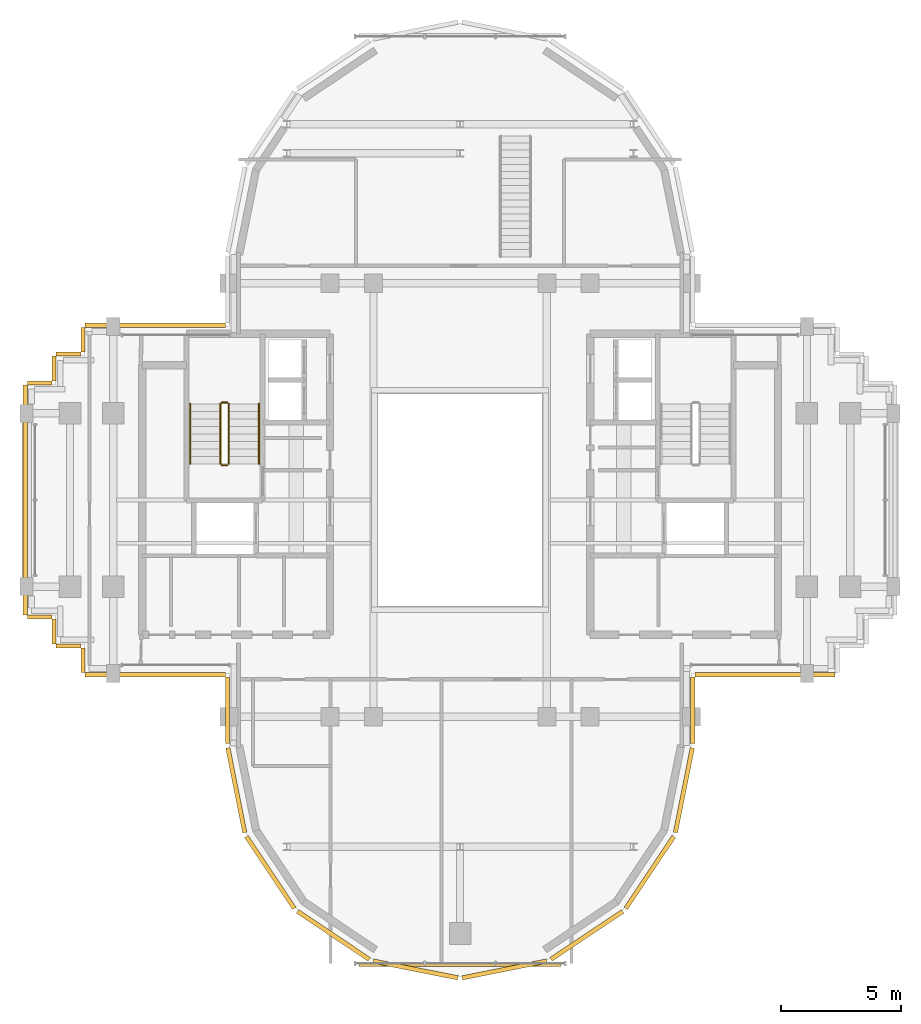
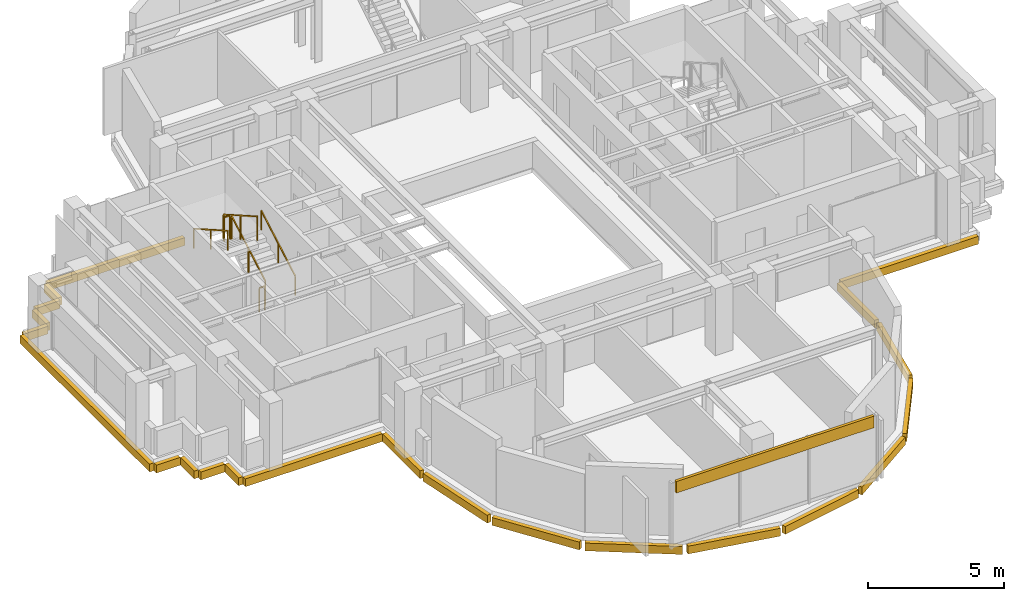
# One storey, part 12 of 13: 23 coverings, 6 railings.
"""IFC4 building model written with IfcOpenShell, lengths in metres."""

import ifcopenshell
import ifcopenshell.guid

model = None  # the IFC model being written
_history = None  # IfcOwnerHistory: only IFC2X3 demands one
_inside = {}  # id of a spatial element -> (the spatial element, [elements in it])
_under = {}  # id of a project, library or spatial element -> (it, [spatial elements below it])
_declared = {}  # id of a project -> (the project, [libraries it declares])
_typed = {}  # id of a type object -> (the type object, [elements of that type])
_made_of = {}  # id of a material, layer set ... -> (it, [elements and type objects made of it])


def new_model(schema):
    """Start an empty IFC model of exactly this schema.

    Asked for "IFC4X3", IfcOpenShell would pick the latest addendum, in which some entities
    have other attributes; the version numbers below select the first issue.
    IFC2X3 requires an IfcOwnerHistory on every rooted entity: one is made here for all.
    """
    global model, _history
    if schema == "IFC4X3":
        model = ifcopenshell.file(schema_version=(4, 3, 0, 0))
    else:
        model = ifcopenshell.file(schema=schema)
    _inside.clear()
    _under.clear()
    _declared.clear()
    _typed.clear()
    _made_of.clear()
    _history = None
    if model.schema == "IFC2X3":
        org = make("IfcOrganization", Name="unknown")
        user = make(
            "IfcPersonAndOrganization",
            ThePerson=make("IfcPerson", FamilyName="unknown"),
            TheOrganization=org,
        )
        app = make(
            "IfcApplication",
            ApplicationDeveloper=org,
            Version="unknown",
            ApplicationFullName="unknown",
            ApplicationIdentifier="unknown",
        )
        _history = make(
            "IfcOwnerHistory",
            OwningUser=user,
            OwningApplication=app,
            ChangeAction="ADDED",
            CreationDate=0,
        )
    return model


def make(cls, **values):
    """One entity of the class cls with the attributes given. An attribute that is None is left unset."""
    return model.create_entity(
        cls, **{name: value for name, value in values.items() if value is not None}
    )


def rooted(cls, **values):
    """An entity with a GlobalId (a new one), such as an element, a storey or a relation."""
    return make(cls, GlobalId=ifcopenshell.guid.new(), OwnerHistory=_history, **values)


def si_unit(unit_type, name, prefix=None):
    """IfcSIUnit, for example si_unit("LENGTHUNIT", "METRE", prefix="MILLI")."""
    return make("IfcSIUnit", UnitType=unit_type, Prefix=prefix, Name=name)


def assignment(units):
    """IfcUnitAssignment: the units of a project."""
    return None if units is None else make("IfcUnitAssignment", Units=units)


def point(xyz):
    """IfcCartesianPoint."""
    return None if xyz is None else make("IfcCartesianPoint", Coordinates=xyz)


def direction(xyz):
    """IfcDirection."""
    return None if xyz is None else make("IfcDirection", DirectionRatios=xyz)


def frame(location, z_axis=None, x_axis=None):
    """IfcAxis2Placement3D, a coordinate frame: its origin and axes. An axis left out is left unset."""
    return make(
        "IfcAxis2Placement3D",
        Location=point(location),
        Axis=direction(z_axis),
        RefDirection=direction(x_axis),
    )


def frame_2d(location, x_axis=None):
    """IfcAxis2Placement2D, a coordinate frame in the plane: its origin and x axis."""
    return make(
        "IfcAxis2Placement2D", Location=point(location), RefDirection=direction(x_axis)
    )


def origin():
    """The frame at (0, 0, 0) with its axes left unset."""
    return frame((0.0, 0.0, 0.0))


def origin_2d():
    """The frame at (0, 0) in the plane with its x axis left unset."""
    return frame_2d((0.0, 0.0))


def place(relative_to, where):
    """IfcLocalPlacement: puts the frame where relative to a parent placement (None: the world)."""
    return make(
        "IfcLocalPlacement", PlacementRelTo=relative_to, RelativePlacement=where
    )


def context(
    kind, dimensions, precision=None, world=None, true_north=None, identifier=None
):
    """IfcGeometricRepresentationContext, for example the 3D "Model" context."""
    return make(
        "IfcGeometricRepresentationContext",
        ContextIdentifier=identifier,
        ContextType=kind,
        CoordinateSpaceDimension=dimensions,
        Precision=precision,
        WorldCoordinateSystem=world,
        TrueNorth=true_north,
    )


def subcontext(parent, identifier, kind, view, scale=None):
    """IfcGeometricRepresentationSubContext, for example "Body" below "Model"."""
    return make(
        "IfcGeometricRepresentationSubContext",
        ContextIdentifier=identifier,
        ContextType=kind,
        ParentContext=parent,
        TargetScale=scale,
        TargetView=view,
    )


def project(units=None, contexts=None):
    """IfcProject with its units and contexts."""
    return rooted(
        "IfcProject",
        Name="project",
        RepresentationContexts=contexts,
        UnitsInContext=assignment(units),
    )


def spatial(cls, under=None, at=None, **own):
    """A site, building, storey or space (cls), placed at a placement, below another one or the project."""
    s = rooted(cls, ObjectPlacement=at, **own)
    if under is not None:
        _under.setdefault(under.id(), (under, []))[1].append(s)
    return s


def profile(cls, at=None, kind="AREA", **sizes):
    """A parametric profile (cls). Its sizes go by their IFC names, for example OverallWidth=200.0."""
    return make(cls, ProfileType=kind, Position=at, **sizes)


def rectangle(**sizes):
    """IfcRectangleProfileDef."""
    return profile("IfcRectangleProfileDef", **sizes)


def extrude(swept, where, along, depth):
    """IfcExtrudedAreaSolid: the profile swept, set in the frame where, extruded along a direction by depth."""
    return make(
        "IfcExtrudedAreaSolid",
        SweptArea=swept,
        Position=where,
        ExtrudedDirection=direction(along),
        Depth=depth,
    )


def shape(context_of_items, identifier, shape_type, items):
    """IfcShapeRepresentation: the items that make up one representation, for example the "Body"."""
    return make(
        "IfcShapeRepresentation",
        ContextOfItems=context_of_items,
        RepresentationIdentifier=identifier,
        RepresentationType=shape_type,
        Items=items,
    )


def source(mapping_origin, context_of_items, identifier, shape_type, items):
    """IfcRepresentationMap: a shape defined once, which mapped items show again and again."""
    return make(
        "IfcRepresentationMap",
        MappingOrigin=mapping_origin,
        MappedRepresentation=shape(context_of_items, identifier, shape_type, items),
    )


def transform(
    local_origin,
    x_axis=None,
    y_axis=None,
    z_axis=None,
    scale=None,
    scale2=None,
    scale3=None,
    uniform=True,
):
    """IfcCartesianTransformationOperator3D, or its non-uniform kind. x_axis, y_axis, z_axis: its Axis1, 2, 3."""
    if uniform:
        return make(
            "IfcCartesianTransformationOperator3D",
            Axis1=direction(x_axis),
            Axis2=direction(y_axis),
            LocalOrigin=point(local_origin),
            Scale=scale,
            Axis3=direction(z_axis),
        )
    return make(
        "IfcCartesianTransformationOperator3DnonUniform",
        Axis1=direction(x_axis),
        Axis2=direction(y_axis),
        LocalOrigin=point(local_origin),
        Scale=scale,
        Axis3=direction(z_axis),
        Scale2=scale2,
        Scale3=scale3,
    )


def mapped(mapping_source, mapping_target):
    """IfcMappedItem: shows the shape of a source again, moved by a transform."""
    return make(
        "IfcMappedItem", MappingSource=mapping_source, MappingTarget=mapping_target
    )


def material(Name=None, Category=None):
    """IfcMaterial."""
    return make("IfcMaterial", Name=Name, Category=Category)


def layer(
    of_material, thickness, ventilated=None, Name=None, Category=None, Priority=None
):
    """IfcMaterialLayer: one layer of a wall or slab, of a material (None: an air gap)."""
    return make(
        "IfcMaterialLayer",
        Material=of_material,
        LayerThickness=thickness,
        IsVentilated=ventilated,
        Name=Name,
        Category=Category,
        Priority=Priority,
    )


def layer_set(layers, Name=None):
    """IfcMaterialLayerSet."""
    return make("IfcMaterialLayerSet", MaterialLayers=layers, LayerSetName=Name)


def made_of(thing, what):
    """Note that an element or type object is made of a material, layer set ...; save() writes the relation."""
    if what is not None:
        _made_of.setdefault(what.id(), (what, []))[1].append(thing)
    return thing


def type_object(cls, material=None, **own):
    """A type object (cls), such as IfcWallType, which elements share."""
    return made_of(rooted(cls, **own), material)


def element(
    cls,
    number,
    at=None,
    inside=None,
    cuts=None,
    type_object=None,
    material=None,
    context=None,
    identifier="Body",
    shape_type=None,
    held_by="IfcProductDefinitionShape",
    body=None,
    shapes=None,
    **own,
):
    """One element of the class cls, such as IfcWall. Its Tag is "e" and its number.

    at: its placement. inside: the storey or other place that contains it. cuts: it is an
    opening in that element (IfcRelVoidsElement). A single representation is given by context,
    identifier, shape_type and body (its items); several are given by shapes. held_by: the class
    of the entity that holds the representations. save() writes the other relations.
    """
    e = rooted(cls, Tag="e%d" % number, ObjectPlacement=at, **own)
    if body is not None:
        shapes = [shape(context, identifier, shape_type, body)]
    if shapes is not None:
        e.Representation = make(held_by, Representations=shapes)
    if inside is not None:
        _inside.setdefault(inside.id(), (inside, []))[1].append(e)
    if cuts is not None:
        rooted(
            "IfcRelVoidsElement", RelatingBuildingElement=cuts, RelatedOpeningElement=e
        )
    if type_object is not None:
        _typed.setdefault(type_object.id(), (type_object, []))[1].append(e)
    return made_of(e, material)


def aggregate(whole, parts):
    """IfcRelAggregates: a whole, such as a stair, and the parts it consists of."""
    return rooted("IfcRelAggregates", RelatingObject=whole, RelatedObjects=parts)


def save(model, path):
    """Write the relations noted so far, then the file.

    IfcRelAggregates (storeys below a building ...), IfcRelContainedInSpatialStructure (elements
    in a storey), IfcRelDefinesByType, IfcRelAssociatesMaterial and IfcRelDeclares: one each for
    every whole, place, type object, material and project.
    """
    for whole, parts in _under.values():
        aggregate(whole, parts)
    for where, things in _inside.values():
        rooted(
            "IfcRelContainedInSpatialStructure",
            RelatedElements=things,
            RelatingStructure=where,
        )
    for kind, things in _typed.values():
        rooted("IfcRelDefinesByType", RelatedObjects=things, RelatingType=kind)
    for what, things in _made_of.values():
        rooted("IfcRelAssociatesMaterial", RelatedObjects=things, RelatingMaterial=what)
    for by, libraries in _declared.values():
        rooted("IfcRelDeclares", RelatingContext=by, RelatedDefinitions=libraries)
    model.write(path)


model = new_model("IFC4")

# Units and contexts
model_context = context("Model", 3, precision=1e-05, world=origin(), true_north=direction((0.0, 1.0)))
body_context = subcontext(model_context, "Body", "Model", "MODEL_VIEW")
ifc_project = project(units=[si_unit("LENGTHUNIT", "METRE"), si_unit("AREAUNIT", "SQUARE_METRE"), si_unit("VOLUMEUNIT", "CUBIC_METRE"), si_unit("PLANEANGLEUNIT", "RADIAN"), si_unit("MASSUNIT", "GRAM", prefix="KILO")], contexts=[model_context])

# Site, building, storey
site_placement = place(None, origin())
site = spatial("IfcSite", under=ifc_project, at=site_placement, CompositionType="ELEMENT")
building_placement = place(site_placement, origin())
building = spatial("IfcBuilding", under=site, at=building_placement, Name="Keilestroom Media Tower", CompositionType="ELEMENT")
storey_placement = place(building_placement, frame((0.0, 0.0, 230.0)))
storey = spatial("IfcBuildingStorey", under=building, at=storey_placement, Name="L63", CompositionType="ELEMENT", Elevation=230.0)

# Railings
ifc_material_1 = material(Name="Brushed Stainless Steel 1.4301", Category="steel")
railing_type_1 = type_object("IfcRailingType", Name="Stair-Pitch-Handrail-920", PredefinedType="HANDRAIL", material=ifc_material_1)
railing_1_placement = place(storey_placement, frame((-8.35009765625, 1.5, 0.177734375)))
element("IfcRailing", 1, at=railing_1_placement, inside=storey, type_object=railing_type_1, Name="L63 ST-1 stair handrail 1", PredefinedType="HANDRAIL", context=body_context, shape_type="SweptSolid", body=[
    extrude(rectangle(XDim=0.048095703125, YDim=0.048095703125, at=origin_2d()), frame((0.0, 0.0, 0.8759765625), z_axis=(0.0, 0.868838684858, 0.495095283449), x_axis=(-1.0, 0.0, 0.0)), (0.0, 0.0, 1.0), 2.872802734375),
    extrude(rectangle(XDim=0.0419921875, YDim=0.0419921875, at=origin_2d()), origin(), (0.0, 0.0, 1.0), 0.84375),
    extrude(rectangle(XDim=0.0419921875, YDim=0.0419921875, at=origin_2d()), frame((0.0, 1.248046875, 0.711181640625)), (0.0, 0.0, 1.0), 0.84375),
    extrude(rectangle(XDim=0.0419921875, YDim=0.0419921875, at=origin_2d()), frame((0.0, 2.49609375, 1.42236328125)), (0.0, 0.0, 1.0), 0.84375),
])
railing_2_placement = place(storey_placement, frame((-11.2099609375, 3.99609375, 1.77783203125)))
element("IfcRailing", 2, at=railing_2_placement, inside=storey, type_object=railing_type_1, Name="L63 ST-1 stair handrail 2", PredefinedType="HANDRAIL", context=body_context, shape_type="SweptSolid", body=[
    extrude(rectangle(XDim=0.048095703125, YDim=0.048095703125, at=origin_2d()), frame((0.0, 0.0, 0.8759765625), z_axis=(0.0, -0.868875238982, 0.495031129408), x_axis=(1.0, 0.0, 0.0)), (0.0, 0.0, 1.0), 2.872802734375),
    extrude(rectangle(XDim=0.0419921875, YDim=0.0419921875, at=origin_2d()), origin(), (0.0, 0.0, 1.0), 0.84375),
    extrude(rectangle(XDim=0.0419921875, YDim=0.0419921875, at=origin_2d()), frame((0.0, -1.248046875, 0.7109375)), (0.0, 0.0, 1.0), 0.84375),
    extrude(rectangle(XDim=0.0419921875, YDim=0.0419921875, at=origin_2d()), frame((0.0, -2.49609375, 1.422119140625)), (0.0, 0.0, 1.0), 0.84375),
])
ifc_material_2 = material(Name="Painted Steel Balustrade", Category="steel")
railing_type_2 = type_object("IfcRailingType", Name="Stair-Well-And-Landing-Guard-1100", PredefinedType="GUARDRAIL", material=ifc_material_2)
railing_3_placement = place(storey_placement, frame((-9.610107421875, 1.5, 0.177734375)))
element("IfcRailing", 3, at=railing_3_placement, inside=storey, type_object=railing_type_2, Name="L63 ST-1 stair guard 1", PredefinedType="GUARDRAIL", context=body_context, shape_type="SweptSolid", body=[
    extrude(rectangle(XDim=0.048095703125, YDim=0.048095703125, at=origin_2d()), frame((0.0, 0.0, 1.076171875), z_axis=(0.0, 0.868838684858, 0.495095283449), x_axis=(-1.0, 0.0, 0.0)), (0.0, 0.0, 1.0), 2.872802734375),
    extrude(rectangle(XDim=0.0419921875, YDim=0.0419921875, at=origin_2d()), origin(), (0.0, 0.0, 1.0), 1.0439453125),
    extrude(rectangle(XDim=0.0419921875, YDim=0.0419921875, at=origin_2d()), frame((0.0, 1.248046875, 0.711181640625)), (0.0, 0.0, 1.0), 1.0439453125),
    extrude(rectangle(XDim=0.0419921875, YDim=0.0419921875, at=origin_2d()), frame((0.0, 2.49609375, 1.42236328125)), (0.0, 0.0, 1.0), 1.0439453125),
])
railing_4_placement = place(storey_placement, frame((-9.659912109375, 4.0458984375, 1.60009765625)))
element("IfcRailing", 4, at=railing_4_placement, inside=storey, type_object=railing_type_2, Name="L63 ST-1 stair guard 2", PredefinedType="GUARDRAIL", context=body_context, shape_type="SweptSolid", body=[
    extrude(rectangle(XDim=0.048095703125, YDim=0.048095703125, at=origin_2d()), frame((0.0, 0.0, 1.076171875), z_axis=(-1.0, 0.0, 0.0), x_axis=(0.0, -1.0, 0.0)), (0.0, 0.0, 1.0), 0.239990234375),
    extrude(rectangle(XDim=0.0419921875, YDim=0.0419921875, at=origin_2d()), origin(), (0.0, 0.0, 1.0), 1.0439453125),
    extrude(rectangle(XDim=0.0419921875, YDim=0.0419921875, at=origin_2d()), frame((-0.239990234375, 0.0, 0.0)), (0.0, 0.0, 1.0), 1.0439453125),
])
railing_5_placement = place(storey_placement, frame((-9.949951171875, 3.99609375, 1.77783203125)))
element("IfcRailing", 5, at=railing_5_placement, inside=storey, type_object=railing_type_2, Name="L63 ST-1 stair guard 3", PredefinedType="GUARDRAIL", context=body_context, shape_type="SweptSolid", body=[
    extrude(rectangle(XDim=0.048095703125, YDim=0.048095703125, at=origin_2d()), frame((0.0, 0.0, 1.076171875), z_axis=(0.0, -0.868875238982, 0.495031129408), x_axis=(1.0, 0.0, 0.0)), (0.0, 0.0, 1.0), 2.872802734375),
    extrude(rectangle(XDim=0.0419921875, YDim=0.0419921875, at=origin_2d()), origin(), (0.0, 0.0, 1.0), 1.0439453125),
    extrude(rectangle(XDim=0.0419921875, YDim=0.0419921875, at=origin_2d()), frame((0.0, -1.248046875, 0.7109375)), (0.0, 0.0, 1.0), 1.0439453125),
    extrude(rectangle(XDim=0.0419921875, YDim=0.0419921875, at=origin_2d()), frame((0.0, -2.49609375, 1.422119140625)), (0.0, 0.0, 1.0), 1.0439453125),
])
railing_6_placement = place(storey_placement, frame((-9.659912109375, 1.449951171875, 0.0)))
element("IfcRailing", 6, at=railing_6_placement, inside=storey, type_object=railing_type_2, Name="L63 ST-1 stair guard 4", PredefinedType="GUARDRAIL", context=body_context, shape_type="SweptSolid", body=[
    extrude(rectangle(XDim=0.048095703125, YDim=0.048095703125, at=origin_2d()), frame((0.0, 0.0, 1.076171875), z_axis=(-1.0, 0.0, 0.0), x_axis=(0.0, -1.0, 0.0)), (0.0, 0.0, 1.0), 0.239990234375),
    extrude(rectangle(XDim=0.0419921875, YDim=0.0419921875, at=origin_2d()), origin(), (0.0, 0.0, 1.0), 1.0439453125),
    extrude(rectangle(XDim=0.0419921875, YDim=0.0419921875, at=origin_2d()), frame((-0.239990234375, 0.0, 0.0)), (0.0, 0.0, 1.0), 1.0439453125),
])

# Coverings
ifc_material_3 = material(Name="Precast concrete C40/50", Category="concrete")
ifc_layer = layer(ifc_material_3, 0.1201171875)
ifc_layer_set = layer_set([ifc_layer], Name="Precast concrete C40/50")
covering_type = type_object("IfcCoveringType", Name="Exterior-Precast-Spandrel-Cladding-Panel-120", PredefinedType="CLADDING", material=ifc_layer_set)
shared_shape_1 = source(origin(), body_context, "Body", "SweptSolid", [
    extrude(rectangle(XDim=8.39990234375, YDim=0.1201171875, at=origin_2d()), origin(), (0.0, 0.0, 1.0), 0.52001953125),
])
covering_1_placement = place(storey_placement, frame((0.0, -19.320068359375, 2.5), z_axis=(0.0, 0.0, 1.0), x_axis=(1.0, 0.0, 0.0)))
element("IfcCovering", 7, at=covering_1_placement, inside=storey, type_object=covering_type, Name="L63 Precast Spandrel Cladding S", PredefinedType="CLADDING", context=body_context, shape_type="MappedRepresentation", body=[
    mapped(shared_shape_1, transform((0.0, 0.0, 0.0), x_axis=(1.0, 0.0, 0.0), y_axis=(0.0, 1.0, 0.0), z_axis=(0.0, 0.0, 1.0), scale=1.0)),
])
shared_shape_2 = source(origin(), body_context, "Body", "SweptSolid", [
    extrude(rectangle(XDim=1.02001953125, YDim=0.179931640625, at=origin_2d()), origin(), (0.0, 0.0, 1.0), 0.35009765625),
])
for number, where, z_axis, x_axis, name in (
    (8, (-15.659912109375, -6.659912109375, -0.530029296875), (0.0, 0.0, 1.0), (0.0, 1.0, 0.0), "L63 Precast Slab-Edge Fascia Cornice 17"),
    (9, (-16.260009765625, -6.06005859375, -0.530029296875), (0.0, 0.0, 1.0), (-1.0, 0.0, 0.0), "L63 Precast Slab-Edge Fascia Cornice 18"),
    (10, (-16.860107421875, -5.4599609375, -0.530029296875), (0.0, 0.0, 1.0), (0.0, 1.0, 0.0), "L63 Precast Slab-Edge Fascia Cornice 19"),
    (11, (-17.4599609375, -4.860107421875, -0.530029296875), (0.0, 0.0, 1.0), (-1.0, 0.0, 0.0), "L63 Precast Slab-Edge Fascia Cornice 20"),
    (12, (-17.4599609375, 4.860107421875, -0.530029296875), (0.0, 0.0, 1.0), (1.0, 0.0, 0.0), "L63 Precast Slab-Edge Fascia Cornice 22"),
    (13, (-16.860107421875, 5.4599609375, -0.530029296875), (0.0, 0.0, 1.0), (0.0, 1.0, 0.0), "L63 Precast Slab-Edge Fascia Cornice 23"),
    (14, (-16.260009765625, 6.06005859375, -0.530029296875), (0.0, 0.0, 1.0), (1.0, 0.0, 0.0), "L63 Precast Slab-Edge Fascia Cornice 24"),
    (15, (-15.659912109375, 6.659912109375, -0.530029296875), (0.0, 0.0, 1.0), (0.0, 1.0, 0.0), "L63 Precast Slab-Edge Fascia Cornice 25"),
):
    element("IfcCovering", number, at=place(storey_placement, frame(where, z_axis=z_axis, x_axis=x_axis)), inside=storey, type_object=covering_type, Name=name, PredefinedType="CLADDING", context=body_context, shape_type="MappedRepresentation", body=[
        mapped(shared_shape_2, transform((0.0, 0.0, 0.0), x_axis=(1.0, 0.0, 0.0), y_axis=(0.0, 1.0, 0.0), z_axis=(0.0, 0.0, 1.0), scale=1.0)),
    ])
shared_shape_3 = source(origin(), body_context, "Body", "SweptSolid", [
    extrude(rectangle(XDim=5.820068359375, YDim=0.179931640625, at=origin_2d()), origin(), (0.0, 0.0, 1.0), 0.35009765625),
])
for number, where, z_axis, x_axis, name in (
    (16, (12.659912109375, -7.260009765625, -0.530029296875), (0.0, 0.0, 1.0), (-1.0, 0.0, 0.0), "L63 Precast Slab-Edge Fascia Cornice 05"),
    (17, (-12.659912109375, -7.260009765625, -0.530029296875), (0.0, 0.0, 1.0), (-1.0, 0.0, 0.0), "L63 Precast Slab-Edge Fascia Cornice 16"),
    (18, (-12.659912109375, 7.260009765625, -0.530029296875), (0.0, 0.0, 1.0), (1.0, 0.0, 0.0), "L63 Precast Slab-Edge Fascia Cornice 26"),
):
    element("IfcCovering", number, at=place(storey_placement, frame(where, z_axis=z_axis, x_axis=x_axis)), inside=storey, type_object=covering_type, Name=name, PredefinedType="CLADDING", context=body_context, shape_type="MappedRepresentation", body=[
        mapped(shared_shape_3, transform((0.0, 0.0, 0.0), x_axis=(1.0, 0.0, 0.0), y_axis=(0.0, 1.0, 0.0), z_axis=(0.0, 0.0, 1.0), scale=1.0)),
    ])
shared_shape_4 = source(origin(), body_context, "Body", "SweptSolid", [
    extrude(rectangle(XDim=2.765869140625, YDim=0.179931640625, at=origin_2d()), origin(), (0.0, 0.0, 1.0), 0.35009765625),
])
for number, where, z_axis, x_axis, name in (
    (19, (9.659912109375, -8.73291015625, -0.530029296875), (0.0, 0.0, 1.0), (0.0, -1.0, 0.0), "L63 Precast Slab-Edge Fascia Cornice 06"),
    (20, (-9.659912109375, -8.73291015625, -0.530029296875), (0.0, 0.0, 1.0), (0.0, 1.0, 0.0), "L63 Precast Slab-Edge Fascia Cornice 15"),
):
    element("IfcCovering", number, at=place(storey_placement, frame(where, z_axis=z_axis, x_axis=x_axis)), inside=storey, type_object=covering_type, Name=name, PredefinedType="CLADDING", context=body_context, shape_type="MappedRepresentation", body=[
        mapped(shared_shape_4, transform((0.0, 0.0, 0.0), x_axis=(1.0, 0.0, 0.0), y_axis=(0.0, 1.0, 0.0), z_axis=(0.0, 0.0, 1.0), scale=1.0)),
    ])
shared_shape_5 = source(origin(), body_context, "Body", "SweptSolid", [
    extrude(rectangle(XDim=3.58349609375, YDim=0.179931640625, at=origin_2d()), origin(), (0.0, 0.0, 1.0), 0.35009765625),
])
for number, where, z_axis, x_axis, name in (
    (21, (9.29296875, -12.051513671875, -0.530029296875), (0.0, 0.0, 1.0), (-0.195098880975, -0.980783577882, 0.0), "L63 Precast Slab-Edge Fascia Cornice 07"),
    (22, (-9.29296875, -12.051513671875, -0.530029296875), (0.0, 0.0, 1.0), (-0.195098880975, 0.980783577882, 0.0), "L63 Precast Slab-Edge Fascia Cornice 14"),
):
    element("IfcCovering", number, at=place(storey_placement, frame(where, z_axis=z_axis, x_axis=x_axis)), inside=storey, type_object=covering_type, Name=name, PredefinedType="CLADDING", context=body_context, shape_type="MappedRepresentation", body=[
        mapped(shared_shape_5, transform((0.0, 0.0, 0.0), x_axis=(1.0, 0.0, 0.0), y_axis=(0.0, 1.0, 0.0), z_axis=(0.0, 0.0, 1.0), scale=1.0)),
    ])
shared_shape_6 = source(origin(), body_context, "Body", "SweptSolid", [
    extrude(rectangle(XDim=3.589599609375, YDim=0.179931640625, at=origin_2d()), origin(), (0.0, 0.0, 1.0), 0.35009765625),
])
for number, where, z_axis, x_axis, name in (
    (23, (7.878662109375, -15.46435546875, -0.530029296875), (0.0, 0.0, 1.0), (-0.555574586577, -0.831466703332, 0.0), "L63 Precast Slab-Edge Fascia Cornice 08"),
    (24, (5.264404296875, -18.07861328125, -0.530029296875), (0.0, 0.0, 1.0), (-0.831466703332, -0.555574586577, 0.0), "L63 Precast Slab-Edge Fascia Cornice 09"),
    (25, (1.8486328125, -19.493408203125, -0.530029296875), (0.0, 0.0, 1.0), (-0.980783577882, -0.195098880975, 0.0), "L63 Precast Slab-Edge Fascia Cornice 10"),
    (26, (-1.8486328125, -19.493408203125, -0.530029296875), (0.0, 0.0, 1.0), (-0.980783577882, 0.195098880975, 0.0), "L63 Precast Slab-Edge Fascia Cornice 11"),
    (27, (-5.264404296875, -18.07861328125, -0.530029296875), (0.0, 0.0, 1.0), (-0.831466703332, 0.555574586577, 0.0), "L63 Precast Slab-Edge Fascia Cornice 12"),
    (28, (-7.878662109375, -15.46435546875, -0.530029296875), (0.0, 0.0, 1.0), (-0.555574586577, 0.831466703332, 0.0), "L63 Precast Slab-Edge Fascia Cornice 13"),
):
    element("IfcCovering", number, at=place(storey_placement, frame(where, z_axis=z_axis, x_axis=x_axis)), inside=storey, type_object=covering_type, Name=name, PredefinedType="CLADDING", context=body_context, shape_type="MappedRepresentation", body=[
        mapped(shared_shape_6, transform((0.0, 0.0, 0.0), x_axis=(1.0, 0.0, 0.0), y_axis=(0.0, 1.0, 0.0), z_axis=(0.0, 0.0, 1.0), scale=1.0)),
    ])
shared_shape_7 = source(origin(), body_context, "Body", "SweptSolid", [
    extrude(rectangle(XDim=9.5400390625, YDim=0.179931640625, at=origin_2d()), origin(), (0.0, 0.0, 1.0), 0.35009765625),
])
covering_2_placement = place(storey_placement, frame((-18.06005859375, 0.0, -0.530029296875), z_axis=(0.0, 0.0, 1.0), x_axis=(0.0, 1.0, 0.0)))
element("IfcCovering", 29, at=covering_2_placement, inside=storey, type_object=covering_type, Name="L63 Precast Slab-Edge Fascia Cornice 21", PredefinedType="CLADDING", context=body_context, shape_type="MappedRepresentation", body=[
    mapped(shared_shape_7, transform((0.0, 0.0, 0.0), x_axis=(1.0, 0.0, 0.0), y_axis=(0.0, 1.0, 0.0), z_axis=(0.0, 0.0, 1.0), scale=1.0)),
])

save(model, "model.ifc")
